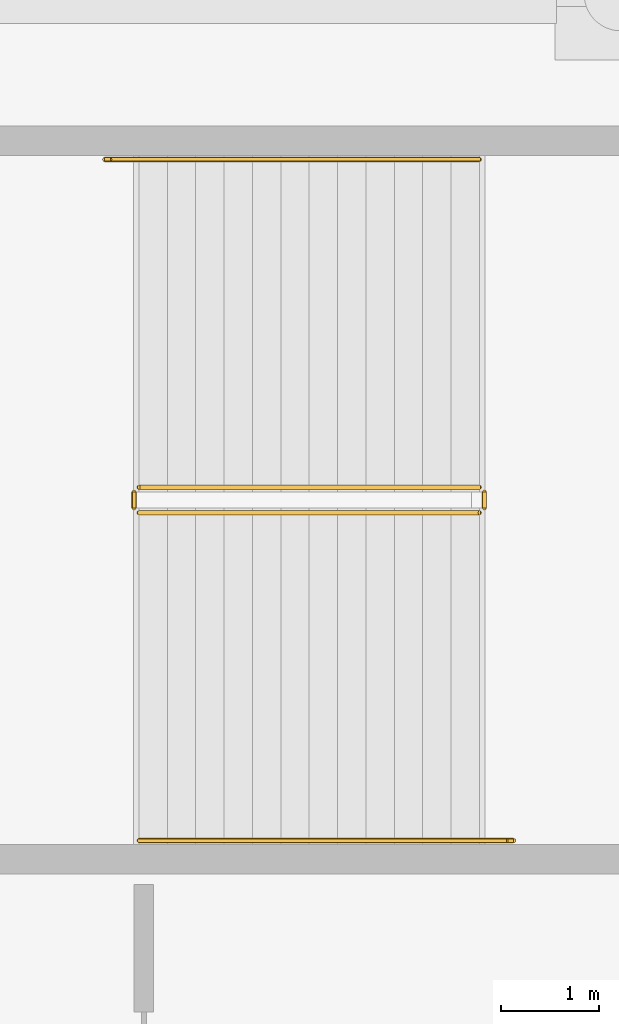
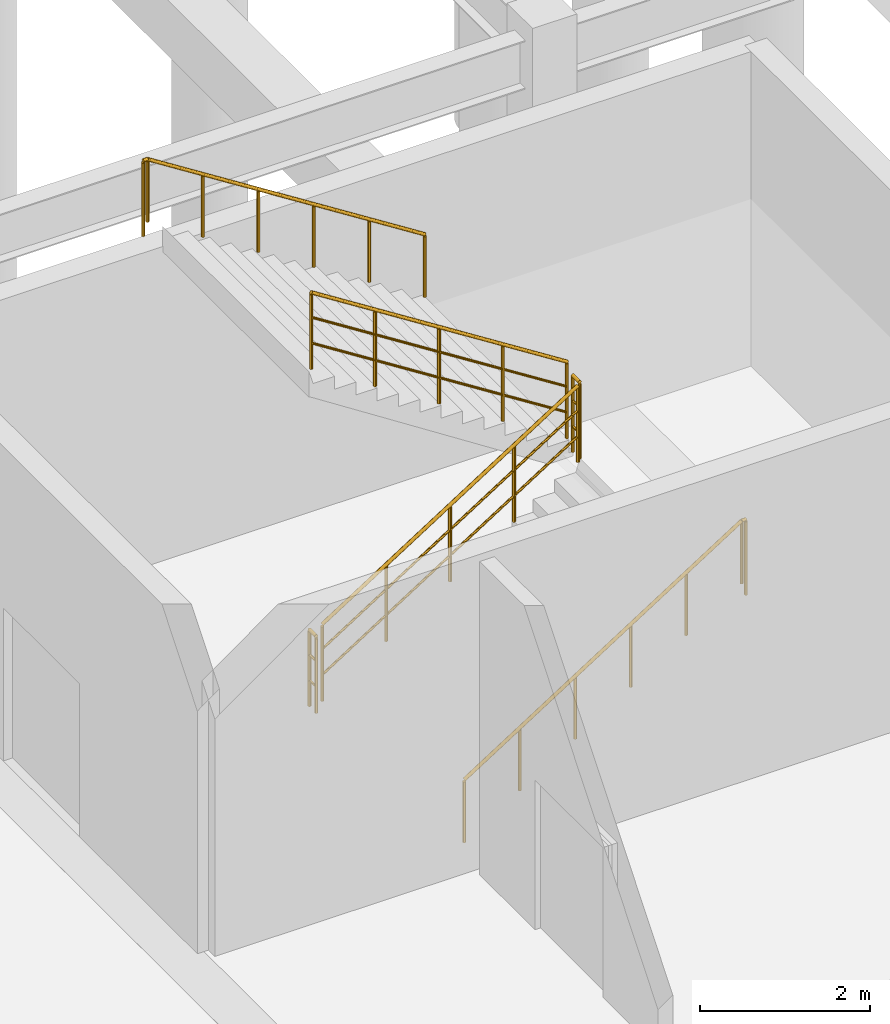
# One storey, part 63 of 68: 6 railings.
"""IFC4 building model written with IfcOpenShell, lengths in metres."""

from ifc_helpers import new_model, si_unit, direction, frame, origin, origin_2d, place, context, subcontext, project, spatial, circle, extrude, material, type_object, element, save


model = new_model("IFC4")

# Units and contexts
model_context = context("Model", 3, precision=1e-05, world=origin(), true_north=direction((0.0, 1.0)))
body_context = subcontext(model_context, "Body", "Model", "MODEL_VIEW")
ifc_project = project(units=[si_unit("LENGTHUNIT", "METRE"), si_unit("AREAUNIT", "SQUARE_METRE"), si_unit("VOLUMEUNIT", "CUBIC_METRE"), si_unit("PLANEANGLEUNIT", "RADIAN"), si_unit("MASSUNIT", "GRAM", prefix="KILO")], contexts=[model_context])

# Site, building, storey
site_placement = place(None, origin())
site = spatial("IfcSite", under=ifc_project, at=site_placement, CompositionType="ELEMENT")
building_placement = place(site_placement, origin())
building = spatial("IfcBuilding", under=site, at=building_placement, Name="Cinderbank Siding Concert Hall", CompositionType="ELEMENT")
storey_placement = place(building_placement, frame((0.0, 0.0, -4.800048828125)))
storey = spatial("IfcBuildingStorey", under=building, at=storey_placement, Name="B1", CompositionType="ELEMENT", Elevation=-4.800048828125)

# Railings
ifc_material = material(Name="Structural steel AS/NZS 3679.1 Grade 350 (340 MPa)", Category="steel")
railing_type_1 = type_object("IfcRailingType", Name="STG-01 Stair Well Guardrail 1120mm", PredefinedType="GUARDRAIL", material=ifc_material)
railing_1_placement = place(storey_placement, frame((71.949951171875, 15.199951171875, 0.1845703125)))
element("IfcRailing", 1, at=railing_1_placement, inside=storey, type_object=railing_type_1, Name="B1 ST-08 stair guard 1", PredefinedType="GUARDRAIL", context=body_context, shape_type="SweptSolid", body=[
    extrude(circle(Radius=0.02392578125, at=origin_2d()), frame((0.0, 0.0, 1.09619140625), z_axis=(0.843546938479, 0.0, 0.53705545578), x_axis=(0.0, 1.0, 0.0)), (0.0, 0.0, 1.0), 4.12548828125),
    extrude(circle(Radius=0.01611328125, at=origin_2d()), frame((0.0, 0.0, 0.36962890625), z_axis=(0.843546938479, 0.0, 0.53705545578), x_axis=(0.0, 1.0, 0.0)), (0.0, 0.0, 1.0), 4.12548828125),
    extrude(circle(Radius=0.01611328125, at=origin_2d()), frame((0.0, 0.0, 0.7392578125), z_axis=(0.843546938479, 0.0, 0.53705545578), x_axis=(0.0, 1.0, 0.0)), (0.0, 0.0, 1.0), 4.12548828125),
    extrude(circle(Radius=0.02099609375, at=origin_2d()), origin(), (0.0, 0.0, 1.0), 1.072021484375),
    extrude(circle(Radius=0.02099609375, at=origin_2d()), frame((0.8701171875, 0.0, 0.553955078125)), (0.0, 0.0, 1.0), 1.072021484375),
    extrude(circle(Radius=0.02099609375, at=origin_2d()), frame((1.739990234375, 0.0, 1.10791015625)), (0.0, 0.0, 1.0), 1.072021484375),
    extrude(circle(Radius=0.02099609375, at=origin_2d()), frame((2.60986328125, 0.0, 1.66162109375)), (0.0, 0.0, 1.0), 1.072021484375),
    extrude(circle(Radius=0.02099609375, at=origin_2d()), frame((3.47998046875, 0.0, 2.215576171875)), (0.0, 0.0, 1.0), 1.072021484375),
])
railing_2_placement = place(storey_placement, frame((75.47998046875, 15.25, 2.400146484375)))
element("IfcRailing", 2, at=railing_2_placement, inside=storey, type_object=railing_type_1, Name="B1 ST-08 stair guard 2", PredefinedType="GUARDRAIL", context=body_context, shape_type="SweptSolid", body=[
    extrude(circle(Radius=0.02392578125, at=origin_2d()), frame((0.0, 0.0, 1.09619140625), z_axis=(0.0, 1.0, 0.0), x_axis=(-1.0, 0.0, 0.0)), (0.0, 0.0, 1.0), 0.159912109375),
    extrude(circle(Radius=0.01611328125, at=origin_2d()), frame((0.0, 0.0, 0.36962890625), z_axis=(0.0, 1.0, 0.0), x_axis=(-1.0, 0.0, 0.0)), (0.0, 0.0, 1.0), 0.159912109375),
    extrude(circle(Radius=0.01611328125, at=origin_2d()), frame((0.0, 0.0, 0.7392578125), z_axis=(0.0, 1.0, 0.0), x_axis=(-1.0, 0.0, 0.0)), (0.0, 0.0, 1.0), 0.159912109375),
    extrude(circle(Radius=0.02099609375, at=origin_2d()), origin(), (0.0, 0.0, 1.0), 1.072021484375),
    extrude(circle(Radius=0.02099609375, at=origin_2d()), frame((0.0, 0.159912109375, 0.0)), (0.0, 0.0, 1.0), 1.072021484375),
])
railing_3_placement = place(storey_placement, frame((75.429931640625, 15.4599609375, 2.584716796875)))
element("IfcRailing", 3, at=railing_3_placement, inside=storey, type_object=railing_type_1, Name="B1 ST-08 stair guard 3", PredefinedType="GUARDRAIL", context=body_context, shape_type="SweptSolid", body=[
    extrude(circle(Radius=0.02392578125, at=origin_2d()), frame((0.0, 0.0, 1.09619140625), z_axis=(-0.843573748531, 0.0, 0.537013343214), x_axis=(0.0, -1.0, 0.0)), (0.0, 0.0, 1.0), 4.125244140625),
    extrude(circle(Radius=0.01611328125, at=origin_2d()), frame((0.0, 0.0, 0.36962890625), z_axis=(-0.843573748531, 0.0, 0.537013343214), x_axis=(0.0, -1.0, 0.0)), (0.0, 0.0, 1.0), 4.125244140625),
    extrude(circle(Radius=0.01611328125, at=origin_2d()), frame((0.0, 0.0, 0.7392578125), z_axis=(-0.843573748531, 0.0, 0.537013343214), x_axis=(0.0, -1.0, 0.0)), (0.0, 0.0, 1.0), 4.125244140625),
    extrude(circle(Radius=0.02099609375, at=origin_2d()), origin(), (0.0, 0.0, 1.0), 1.072021484375),
    extrude(circle(Radius=0.02099609375, at=origin_2d()), frame((-0.8701171875, 0.0, 0.5537109375)), (0.0, 0.0, 1.0), 1.072021484375),
    extrude(circle(Radius=0.02099609375, at=origin_2d()), frame((-1.739990234375, 0.0, 1.107666015625)), (0.0, 0.0, 1.0), 1.072021484375),
    extrude(circle(Radius=0.02099609375, at=origin_2d()), frame((-2.60986328125, 0.0, 1.66162109375)), (0.0, 0.0, 1.0), 1.072021484375),
    extrude(circle(Radius=0.02099609375, at=origin_2d()), frame((-3.47998046875, 0.0, 2.21533203125)), (0.0, 0.0, 1.0), 1.072021484375),
])
railing_4_placement = place(storey_placement, frame((71.89990234375, 15.25, 0.0)))
element("IfcRailing", 4, at=railing_4_placement, inside=storey, type_object=railing_type_1, Name="B1 ST-08 stair guard 4", PredefinedType="GUARDRAIL", context=body_context, shape_type="SweptSolid", body=[
    extrude(circle(Radius=0.02392578125, at=origin_2d()), frame((0.0, 0.0, 1.09619140625), z_axis=(0.0, 1.0, 0.0), x_axis=(-1.0, 0.0, 0.0)), (0.0, 0.0, 1.0), 0.159912109375),
    extrude(circle(Radius=0.01611328125, at=origin_2d()), frame((0.0, 0.0, 0.36962890625), z_axis=(0.0, 1.0, 0.0), x_axis=(-1.0, 0.0, 0.0)), (0.0, 0.0, 1.0), 0.159912109375),
    extrude(circle(Radius=0.01611328125, at=origin_2d()), frame((0.0, 0.0, 0.7392578125), z_axis=(0.0, 1.0, 0.0), x_axis=(-1.0, 0.0, 0.0)), (0.0, 0.0, 1.0), 0.159912109375),
    extrude(circle(Radius=0.02099609375, at=origin_2d()), origin(), (0.0, 0.0, 1.0), 1.072021484375),
    extrude(circle(Radius=0.02099609375, at=origin_2d()), frame((0.0, 0.159912109375, 0.0)), (0.0, 0.0, 1.0), 1.072021484375),
])
railing_type_2 = type_object("IfcRailingType", Name="STH-01 Stair Pitch Handrail 920mm", PredefinedType="HANDRAIL", material=ifc_material)
railing_5_placement = place(storey_placement, frame((71.949951171875, 11.85009765625, 0.1845703125)))
element("IfcRailing", 5, at=railing_5_placement, inside=storey, type_object=railing_type_2, Name="B1 ST-08 stair handrail 1", PredefinedType="HANDRAIL", context=body_context, shape_type="SweptSolid", body=[
    extrude(circle(Radius=0.02392578125, at=origin_2d()), frame((0.0, 0.0, 0.89599609375), z_axis=(0.843555751359, 0.0, 0.537041613237), x_axis=(0.0, 1.0, 0.0)), (0.0, 0.0, 1.0), 4.46923828125),
    extrude(circle(Radius=0.02392578125, at=origin_2d()), frame((3.77001953125, 0.0, 3.2958984375), z_axis=(1.0, 0.0, 0.0), x_axis=(0.0, 1.0, 0.0)), (0.0, 0.0, 1.0), 0.06005859375),
    extrude(circle(Radius=0.02099609375, at=origin_2d()), origin(), (0.0, 0.0, 1.0), 0.871826171875),
    extrude(circle(Radius=0.02099609375, at=origin_2d()), frame((0.75390625, 0.0, 0.47998046875)), (0.0, 0.0, 1.0), 0.871826171875),
    extrude(circle(Radius=0.02099609375, at=origin_2d()), frame((1.508056640625, 0.0, 0.9599609375)), (0.0, 0.0, 1.0), 0.871826171875),
    extrude(circle(Radius=0.02099609375, at=origin_2d()), frame((2.261962890625, 0.0, 1.440185546875)), (0.0, 0.0, 1.0), 0.871826171875),
    extrude(circle(Radius=0.02099609375, at=origin_2d()), frame((3.01611328125, 0.0, 1.920166015625)), (0.0, 0.0, 1.0), 0.871826171875),
    extrude(circle(Radius=0.02099609375, at=origin_2d()), frame((3.77001953125, 0.0, 2.400146484375)), (0.0, 0.0, 1.0), 0.871826171875),
    extrude(circle(Radius=0.02099609375, at=origin_2d()), frame((3.830078125, 0.0, 2.215576171875)), (0.0, 0.0, 1.0), 1.056396484375),
])
railing_6_placement = place(storey_placement, frame((75.429931640625, 18.81005859375, 2.584716796875)))
element("IfcRailing", 6, at=railing_6_placement, inside=storey, type_object=railing_type_2, Name="B1 ST-08 stair handrail 2", PredefinedType="HANDRAIL", context=body_context, shape_type="SweptSolid", body=[
    extrude(circle(Radius=0.02392578125, at=origin_2d()), frame((0.0, 0.0, 0.89599609375), z_axis=(-0.843580498726, 0.0, 0.537002739443), x_axis=(0.0, -1.0, 0.0)), (0.0, 0.0, 1.0), 4.468994140625),
    extrude(circle(Radius=0.02392578125, at=origin_2d()), frame((-3.77001953125, 0.0, 3.2958984375), z_axis=(-1.0, 0.0, 0.0), x_axis=(0.0, -1.0, 0.0)), (0.0, 0.0, 1.0), 0.059814453125),
    extrude(circle(Radius=0.02099609375, at=origin_2d()), origin(), (0.0, 0.0, 1.0), 0.871826171875),
    extrude(circle(Radius=0.02099609375, at=origin_2d()), frame((-0.75390625, 0.0, 0.47998046875)), (0.0, 0.0, 1.0), 0.871826171875),
    extrude(circle(Radius=0.02099609375, at=origin_2d()), frame((-1.508056640625, 0.0, 0.9599609375)), (0.0, 0.0, 1.0), 0.871826171875),
    extrude(circle(Radius=0.02099609375, at=origin_2d()), frame((-2.261962890625, 0.0, 1.43994140625)), (0.0, 0.0, 1.0), 0.871826171875),
    extrude(circle(Radius=0.02099609375, at=origin_2d()), frame((-3.01611328125, 0.0, 1.919921875)), (0.0, 0.0, 1.0), 0.871826171875),
    extrude(circle(Radius=0.02099609375, at=origin_2d()), frame((-3.77001953125, 0.0, 2.39990234375)), (0.0, 0.0, 1.0), 0.871826171875),
    extrude(circle(Radius=0.02099609375, at=origin_2d()), frame((-3.829833984375, 0.0, 2.21533203125)), (0.0, 0.0, 1.0), 1.056396484375),
])

save(model, "model.ifc")
